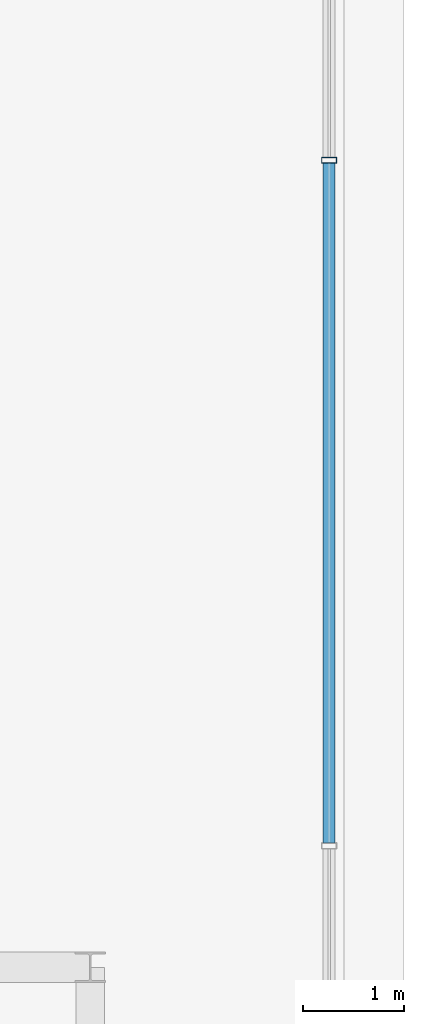
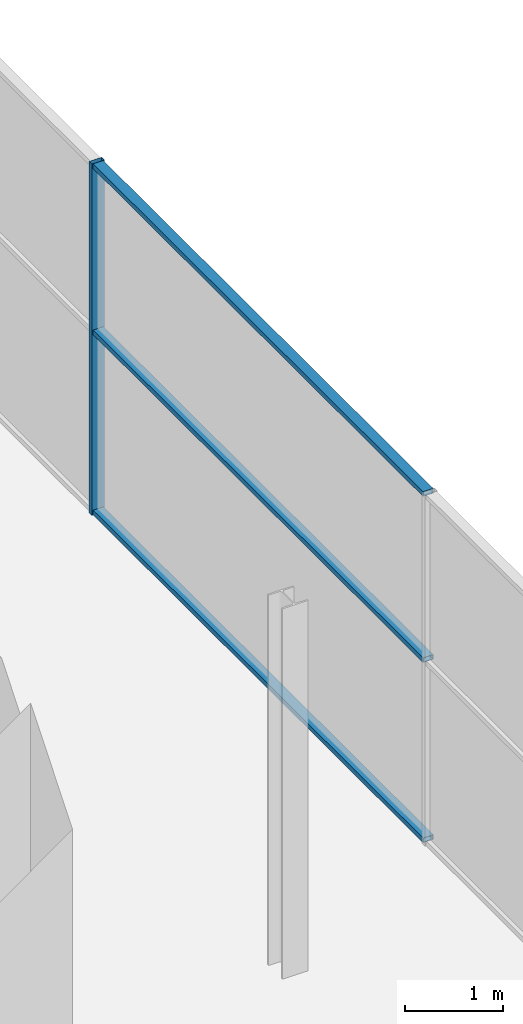
# One storey, part 17 of 28: 4 members, 1 element without a shape of its own.
"""IFC4 building model written with IfcOpenShell, lengths in metres."""

import ifcopenshell
import ifcopenshell.guid

model = None  # the IFC model being written
_history = None  # IfcOwnerHistory: only IFC2X3 demands one
_inside = {}  # id of a spatial element -> (the spatial element, [elements in it])
_under = {}  # id of a project, library or spatial element -> (it, [spatial elements below it])
_declared = {}  # id of a project -> (the project, [libraries it declares])
_typed = {}  # id of a type object -> (the type object, [elements of that type])
_made_of = {}  # id of a material, layer set ... -> (it, [elements and type objects made of it])


def new_model(schema):
    """Start an empty IFC model of exactly this schema.

    Asked for "IFC4X3", IfcOpenShell would pick the latest addendum, in which some entities
    have other attributes; the version numbers below select the first issue.
    IFC2X3 requires an IfcOwnerHistory on every rooted entity: one is made here for all.
    """
    global model, _history
    if schema == "IFC4X3":
        model = ifcopenshell.file(schema_version=(4, 3, 0, 0))
    else:
        model = ifcopenshell.file(schema=schema)
    _inside.clear()
    _under.clear()
    _declared.clear()
    _typed.clear()
    _made_of.clear()
    _history = None
    if model.schema == "IFC2X3":
        org = make("IfcOrganization", Name="unknown")
        user = make(
            "IfcPersonAndOrganization",
            ThePerson=make("IfcPerson", FamilyName="unknown"),
            TheOrganization=org,
        )
        app = make(
            "IfcApplication",
            ApplicationDeveloper=org,
            Version="unknown",
            ApplicationFullName="unknown",
            ApplicationIdentifier="unknown",
        )
        _history = make(
            "IfcOwnerHistory",
            OwningUser=user,
            OwningApplication=app,
            ChangeAction="ADDED",
            CreationDate=0,
        )
    return model


def make(cls, **values):
    """One entity of the class cls with the attributes given. An attribute that is None is left unset."""
    return model.create_entity(
        cls, **{name: value for name, value in values.items() if value is not None}
    )


def rooted(cls, **values):
    """An entity with a GlobalId (a new one), such as an element, a storey or a relation."""
    return make(cls, GlobalId=ifcopenshell.guid.new(), OwnerHistory=_history, **values)


def si_unit(unit_type, name, prefix=None):
    """IfcSIUnit, for example si_unit("LENGTHUNIT", "METRE", prefix="MILLI")."""
    return make("IfcSIUnit", UnitType=unit_type, Prefix=prefix, Name=name)


def assignment(units):
    """IfcUnitAssignment: the units of a project."""
    return None if units is None else make("IfcUnitAssignment", Units=units)


def point(xyz):
    """IfcCartesianPoint."""
    return None if xyz is None else make("IfcCartesianPoint", Coordinates=xyz)


def direction(xyz):
    """IfcDirection."""
    return None if xyz is None else make("IfcDirection", DirectionRatios=xyz)


def frame(location, z_axis=None, x_axis=None):
    """IfcAxis2Placement3D, a coordinate frame: its origin and axes. An axis left out is left unset."""
    return make(
        "IfcAxis2Placement3D",
        Location=point(location),
        Axis=direction(z_axis),
        RefDirection=direction(x_axis),
    )


def frame_2d(location, x_axis=None):
    """IfcAxis2Placement2D, a coordinate frame in the plane: its origin and x axis."""
    return make(
        "IfcAxis2Placement2D", Location=point(location), RefDirection=direction(x_axis)
    )


def origin():
    """The frame at (0, 0, 0) with its axes left unset."""
    return frame((0.0, 0.0, 0.0))


def origin_2d():
    """The frame at (0, 0) in the plane with its x axis left unset."""
    return frame_2d((0.0, 0.0))


def place(relative_to, where):
    """IfcLocalPlacement: puts the frame where relative to a parent placement (None: the world)."""
    return make(
        "IfcLocalPlacement", PlacementRelTo=relative_to, RelativePlacement=where
    )


def context(
    kind, dimensions, precision=None, world=None, true_north=None, identifier=None
):
    """IfcGeometricRepresentationContext, for example the 3D "Model" context."""
    return make(
        "IfcGeometricRepresentationContext",
        ContextIdentifier=identifier,
        ContextType=kind,
        CoordinateSpaceDimension=dimensions,
        Precision=precision,
        WorldCoordinateSystem=world,
        TrueNorth=true_north,
    )


def subcontext(parent, identifier, kind, view, scale=None):
    """IfcGeometricRepresentationSubContext, for example "Body" below "Model"."""
    return make(
        "IfcGeometricRepresentationSubContext",
        ContextIdentifier=identifier,
        ContextType=kind,
        ParentContext=parent,
        TargetScale=scale,
        TargetView=view,
    )


def project(units=None, contexts=None):
    """IfcProject with its units and contexts."""
    return rooted(
        "IfcProject",
        Name="project",
        RepresentationContexts=contexts,
        UnitsInContext=assignment(units),
    )


def spatial(cls, under=None, at=None, **own):
    """A site, building, storey or space (cls), placed at a placement, below another one or the project."""
    s = rooted(cls, ObjectPlacement=at, **own)
    if under is not None:
        _under.setdefault(under.id(), (under, []))[1].append(s)
    return s


def profile(cls, at=None, kind="AREA", **sizes):
    """A parametric profile (cls). Its sizes go by their IFC names, for example OverallWidth=200.0."""
    return make(cls, ProfileType=kind, Position=at, **sizes)


def hollow_rectangle(**sizes):
    """IfcRectangleHollowProfileDef."""
    return profile("IfcRectangleHollowProfileDef", **sizes)


def extrude(swept, where, along, depth):
    """IfcExtrudedAreaSolid: the profile swept, set in the frame where, extruded along a direction by depth."""
    return make(
        "IfcExtrudedAreaSolid",
        SweptArea=swept,
        Position=where,
        ExtrudedDirection=direction(along),
        Depth=depth,
    )


def shape(context_of_items, identifier, shape_type, items):
    """IfcShapeRepresentation: the items that make up one representation, for example the "Body"."""
    return make(
        "IfcShapeRepresentation",
        ContextOfItems=context_of_items,
        RepresentationIdentifier=identifier,
        RepresentationType=shape_type,
        Items=items,
    )


def source(mapping_origin, context_of_items, identifier, shape_type, items):
    """IfcRepresentationMap: a shape defined once, which mapped items show again and again."""
    return make(
        "IfcRepresentationMap",
        MappingOrigin=mapping_origin,
        MappedRepresentation=shape(context_of_items, identifier, shape_type, items),
    )


def transform(
    local_origin,
    x_axis=None,
    y_axis=None,
    z_axis=None,
    scale=None,
    scale2=None,
    scale3=None,
    uniform=True,
):
    """IfcCartesianTransformationOperator3D, or its non-uniform kind. x_axis, y_axis, z_axis: its Axis1, 2, 3."""
    if uniform:
        return make(
            "IfcCartesianTransformationOperator3D",
            Axis1=direction(x_axis),
            Axis2=direction(y_axis),
            LocalOrigin=point(local_origin),
            Scale=scale,
            Axis3=direction(z_axis),
        )
    return make(
        "IfcCartesianTransformationOperator3DnonUniform",
        Axis1=direction(x_axis),
        Axis2=direction(y_axis),
        LocalOrigin=point(local_origin),
        Scale=scale,
        Axis3=direction(z_axis),
        Scale2=scale2,
        Scale3=scale3,
    )


def mapped(mapping_source, mapping_target):
    """IfcMappedItem: shows the shape of a source again, moved by a transform."""
    return make(
        "IfcMappedItem", MappingSource=mapping_source, MappingTarget=mapping_target
    )


def material(Name=None, Category=None):
    """IfcMaterial."""
    return make("IfcMaterial", Name=Name, Category=Category)


def layer(
    of_material, thickness, ventilated=None, Name=None, Category=None, Priority=None
):
    """IfcMaterialLayer: one layer of a wall or slab, of a material (None: an air gap)."""
    return make(
        "IfcMaterialLayer",
        Material=of_material,
        LayerThickness=thickness,
        IsVentilated=ventilated,
        Name=Name,
        Category=Category,
        Priority=Priority,
    )


def layer_set(layers, Name=None):
    """IfcMaterialLayerSet."""
    return make("IfcMaterialLayerSet", MaterialLayers=layers, LayerSetName=Name)


def material_profile(
    of_material, cross_section, Name=None, Category=None, Priority=None
):
    """IfcMaterialProfile: a cross section and its material."""
    return make(
        "IfcMaterialProfile",
        Name=Name,
        Material=of_material,
        Profile=cross_section,
        Priority=Priority,
        Category=Category,
    )


def profile_set(profiles, Name=None, composite=None):
    """IfcMaterialProfileSet."""
    return make(
        "IfcMaterialProfileSet",
        Name=Name,
        MaterialProfiles=profiles,
        CompositeProfile=composite,
    )


def made_of(thing, what):
    """Note that an element or type object is made of a material, layer set ...; save() writes the relation."""
    if what is not None:
        _made_of.setdefault(what.id(), (what, []))[1].append(thing)
    return thing


def type_object(cls, material=None, **own):
    """A type object (cls), such as IfcWallType, which elements share."""
    return made_of(rooted(cls, **own), material)


def element(
    cls,
    number,
    at=None,
    inside=None,
    cuts=None,
    type_object=None,
    material=None,
    context=None,
    identifier="Body",
    shape_type=None,
    held_by="IfcProductDefinitionShape",
    body=None,
    shapes=None,
    **own,
):
    """One element of the class cls, such as IfcWall. Its Tag is "e" and its number.

    at: its placement. inside: the storey or other place that contains it. cuts: it is an
    opening in that element (IfcRelVoidsElement). A single representation is given by context,
    identifier, shape_type and body (its items); several are given by shapes. held_by: the class
    of the entity that holds the representations. save() writes the other relations.
    """
    e = rooted(cls, Tag="e%d" % number, ObjectPlacement=at, **own)
    if body is not None:
        shapes = [shape(context, identifier, shape_type, body)]
    if shapes is not None:
        e.Representation = make(held_by, Representations=shapes)
    if inside is not None:
        _inside.setdefault(inside.id(), (inside, []))[1].append(e)
    if cuts is not None:
        rooted(
            "IfcRelVoidsElement", RelatingBuildingElement=cuts, RelatedOpeningElement=e
        )
    if type_object is not None:
        _typed.setdefault(type_object.id(), (type_object, []))[1].append(e)
    return made_of(e, material)


def aggregate(whole, parts):
    """IfcRelAggregates: a whole, such as a stair, and the parts it consists of."""
    return rooted("IfcRelAggregates", RelatingObject=whole, RelatedObjects=parts)


def save(model, path):
    """Write the relations noted so far, then the file.

    IfcRelAggregates (storeys below a building ...), IfcRelContainedInSpatialStructure (elements
    in a storey), IfcRelDefinesByType, IfcRelAssociatesMaterial and IfcRelDeclares: one each for
    every whole, place, type object, material and project.
    """
    for whole, parts in _under.values():
        aggregate(whole, parts)
    for where, things in _inside.values():
        rooted(
            "IfcRelContainedInSpatialStructure",
            RelatedElements=things,
            RelatingStructure=where,
        )
    for kind, things in _typed.values():
        rooted("IfcRelDefinesByType", RelatedObjects=things, RelatingType=kind)
    for what, things in _made_of.values():
        rooted("IfcRelAssociatesMaterial", RelatedObjects=things, RelatingMaterial=what)
    for by, libraries in _declared.values():
        rooted("IfcRelDeclares", RelatingContext=by, RelatedDefinitions=libraries)
    model.write(path)


model = new_model("IFC4")

# Units and contexts
model_context = context("Model", 3, precision=1e-05, world=origin(), true_north=direction((0.0, 1.0)))
body_context = subcontext(model_context, "Body", "Model", "MODEL_VIEW")
ifc_project = project(units=[si_unit("LENGTHUNIT", "METRE"), si_unit("AREAUNIT", "SQUARE_METRE"), si_unit("VOLUMEUNIT", "CUBIC_METRE"), si_unit("PLANEANGLEUNIT", "RADIAN"), si_unit("MASSUNIT", "GRAM", prefix="KILO")], contexts=[model_context])

# Site, building, storey
site_placement = place(None, origin())
site = spatial("IfcSite", under=ifc_project, at=site_placement, CompositionType="ELEMENT")
building_placement = place(site_placement, origin())
building = spatial("IfcBuilding", under=site, at=building_placement, Name="Zarnakvel Exchange Tower", CompositionType="ELEMENT")
storey_placement = place(building_placement, frame((0.0, 0.0, 276.199951171875)))
storey = spatial("IfcBuildingStorey", under=building, at=storey_placement, Name="Crown L78", CompositionType="ELEMENT", Elevation=276.199951171875)

# Curtain wall, members
ifc_material = material(Name="Architectural Bronze Anodised Aluminium", Category="aluminium")
ifc_layer = layer(ifc_material, 0.14990234375)
ifc_layer_set = layer_set([ifc_layer], Name="Architectural Bronze Anodised Aluminium")
curtain_wall_type = type_object("IfcCurtainWallType", Name="CW-07", PredefinedType="NOTDEFINED", material=ifc_layer_set)
curtain_wall_placement = place(storey_placement, origin())
curtain_wall = element("IfcCurtainWall", 1, at=curtain_wall_placement, inside=storey, type_object=curtain_wall_type, Name="Crown L78 Curtain Wall CW-Crown L78-E (CW-07)", PredefinedType="NOTDEFINED")
ifc_material_profile_1 = material_profile(ifc_material, hollow_rectangle(XDim=0.14990234375, YDim=0.06005859375, WallThickness=0.00390625, at=origin_2d()))
ifc_profile_set_1 = profile_set([ifc_material_profile_1], Name="Architectural Bronze Anodised Aluminium")
member_type_1 = type_object("IfcMemberType", Name="CWM-07", PredefinedType="MULLION", material=ifc_profile_set_1)
shared_shape_1 = source(origin(), body_context, "Body", "SweptSolid", [
    extrude(hollow_rectangle(XDim=0.14990234375, YDim=0.06005859375, WallThickness=0.00390625, at=origin_2d()), origin(), (0.0, 0.0, 1.0), 4.360107421875),
])
member_1_placement = place(storey_placement, frame((19.9599609375, 6.77490234375, 0.0), z_axis=(0.0, 0.0, 1.0), x_axis=(-1.0, 0.0, 0.0)))
member_1 = element("IfcMember", 2, at=member_1_placement, type_object=member_type_1, Name="CW-07 mullion 4", PredefinedType="MULLION", context=body_context, shape_type="MappedRepresentation", body=[
    mapped(shared_shape_1, transform((0.0, 0.0, 0.0), x_axis=(1.0, 0.0, 0.0), y_axis=(0.0, 1.0, 0.0), z_axis=(0.0, 0.0, 1.0), scale=1.0)),
])
ifc_material_profile_2 = material_profile(ifc_material, hollow_rectangle(XDim=0.1201171875, YDim=0.06005859375, WallThickness=0.00390625, at=origin_2d()))
ifc_profile_set_2 = profile_set([ifc_material_profile_2], Name="Architectural Bronze Anodised Aluminium")
member_type_2 = type_object("IfcMemberType", Name="CWT-07", PredefinedType="USERDEFINED", material=ifc_profile_set_2)
shared_shape_2 = source(origin(), body_context, "Body", "SweptSolid", [
    extrude(hollow_rectangle(XDim=0.1201171875, YDim=0.06005859375, WallThickness=0.00390625, at=origin_2d()), origin(), (0.0, 0.0, 1.0), 6.715087890625),
])
member_2_placement = place(storey_placement, frame((19.9599609375, 0.030029296875, 0.030029296875), z_axis=(0.0, 1.0, 0.0), x_axis=(-1.0, 0.0, 0.0)))
member_2 = element("IfcMember", 3, at=member_2_placement, type_object=member_type_2, Name="CW-07 transom 3.1", ObjectType="TRANSOM", PredefinedType="USERDEFINED", context=body_context, shape_type="MappedRepresentation", body=[
    mapped(shared_shape_2, transform((0.0, 0.0, 0.0), x_axis=(1.0, 0.0, 0.0), y_axis=(0.0, 1.0, 0.0), z_axis=(0.0, 0.0, 1.0), scale=1.0)),
])
member_3_placement = place(storey_placement, frame((19.9599609375, 0.030029296875, 2.267333984375), z_axis=(0.0, 1.0, 0.0), x_axis=(-1.0, 0.0, 0.0)))
member_3 = element("IfcMember", 4, at=member_3_placement, type_object=member_type_2, Name="CW-07 transom 3.2", ObjectType="TRANSOM", PredefinedType="USERDEFINED", context=body_context, shape_type="MappedRepresentation", body=[
    mapped(shared_shape_2, transform((0.0, 0.0, 0.0), x_axis=(1.0, 0.0, 0.0), y_axis=(0.0, 1.0, 0.0), z_axis=(0.0, 0.0, 1.0), scale=1.0)),
])
member_4_placement = place(storey_placement, frame((19.9599609375, 0.030029296875, 4.330078125), z_axis=(0.0, 1.0, 0.0), x_axis=(-1.0, 0.0, 0.0)))
member_4 = element("IfcMember", 5, at=member_4_placement, type_object=member_type_2, Name="CW-07 transom 3.3", ObjectType="TRANSOM", PredefinedType="USERDEFINED", context=body_context, shape_type="MappedRepresentation", body=[
    mapped(shared_shape_2, transform((0.0, 0.0, 0.0), x_axis=(1.0, 0.0, 0.0), y_axis=(0.0, 1.0, 0.0), z_axis=(0.0, 0.0, 1.0), scale=1.0)),
])
aggregate(curtain_wall, [member_1, member_2, member_3, member_4])

save(model, "model.ifc")
